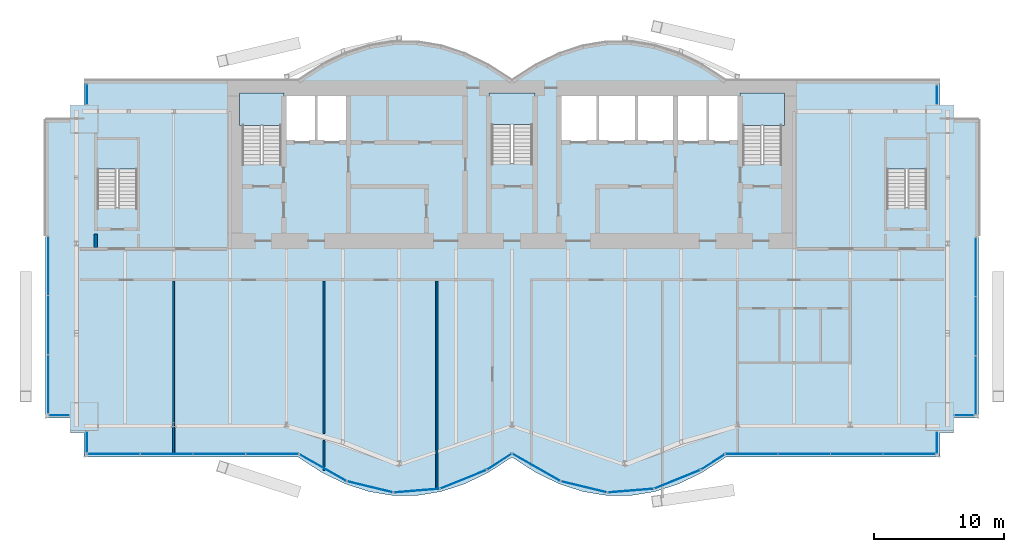
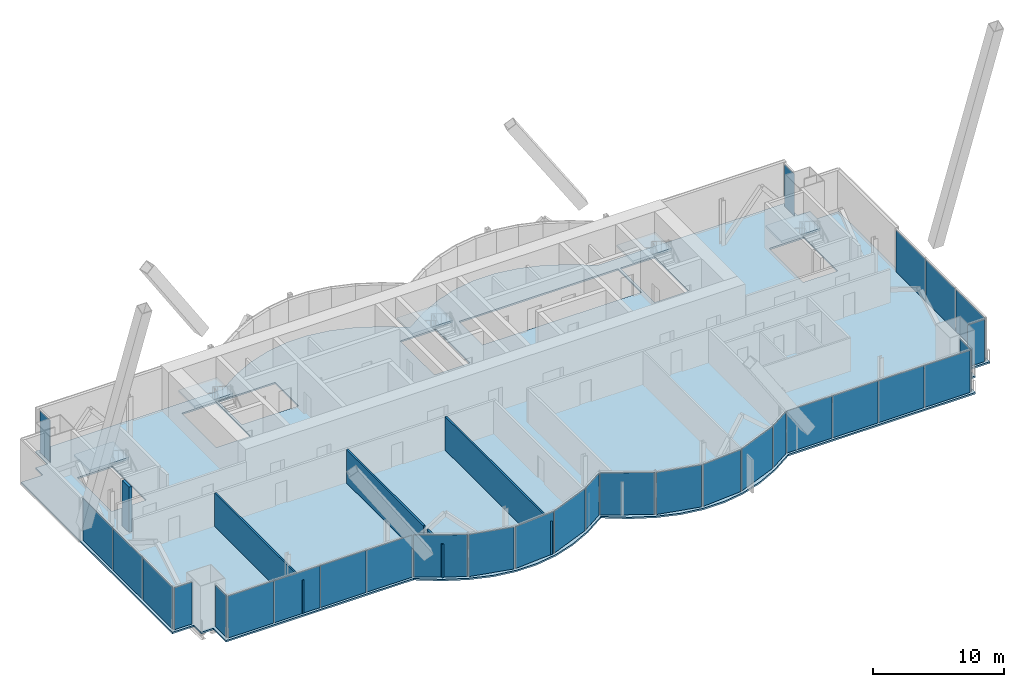
# One storey, part 16 of 23: 30 plates, 6 slabs, 5 walls, 17 elements without a shape of their own.
"""IFC4 building model written with IfcOpenShell, lengths in metres."""

import ifcopenshell
import ifcopenshell.guid

model = None  # the IFC model being written
_history = None  # IfcOwnerHistory: only IFC2X3 demands one
_inside = {}  # id of a spatial element -> (the spatial element, [elements in it])
_under = {}  # id of a project, library or spatial element -> (it, [spatial elements below it])
_declared = {}  # id of a project -> (the project, [libraries it declares])
_typed = {}  # id of a type object -> (the type object, [elements of that type])
_made_of = {}  # id of a material, layer set ... -> (it, [elements and type objects made of it])


def new_model(schema):
    """Start an empty IFC model of exactly this schema.

    Asked for "IFC4X3", IfcOpenShell would pick the latest addendum, in which some entities
    have other attributes; the version numbers below select the first issue.
    IFC2X3 requires an IfcOwnerHistory on every rooted entity: one is made here for all.
    """
    global model, _history
    if schema == "IFC4X3":
        model = ifcopenshell.file(schema_version=(4, 3, 0, 0))
    else:
        model = ifcopenshell.file(schema=schema)
    _inside.clear()
    _under.clear()
    _declared.clear()
    _typed.clear()
    _made_of.clear()
    _history = None
    if model.schema == "IFC2X3":
        org = make("IfcOrganization", Name="unknown")
        user = make(
            "IfcPersonAndOrganization",
            ThePerson=make("IfcPerson", FamilyName="unknown"),
            TheOrganization=org,
        )
        app = make(
            "IfcApplication",
            ApplicationDeveloper=org,
            Version="unknown",
            ApplicationFullName="unknown",
            ApplicationIdentifier="unknown",
        )
        _history = make(
            "IfcOwnerHistory",
            OwningUser=user,
            OwningApplication=app,
            ChangeAction="ADDED",
            CreationDate=0,
        )
    return model


def make(cls, **values):
    """One entity of the class cls with the attributes given. An attribute that is None is left unset."""
    return model.create_entity(
        cls, **{name: value for name, value in values.items() if value is not None}
    )


def rooted(cls, **values):
    """An entity with a GlobalId (a new one), such as an element, a storey or a relation."""
    return make(cls, GlobalId=ifcopenshell.guid.new(), OwnerHistory=_history, **values)


def si_unit(unit_type, name, prefix=None):
    """IfcSIUnit, for example si_unit("LENGTHUNIT", "METRE", prefix="MILLI")."""
    return make("IfcSIUnit", UnitType=unit_type, Prefix=prefix, Name=name)


def assignment(units):
    """IfcUnitAssignment: the units of a project."""
    return None if units is None else make("IfcUnitAssignment", Units=units)


def point(xyz):
    """IfcCartesianPoint."""
    return None if xyz is None else make("IfcCartesianPoint", Coordinates=xyz)


def direction(xyz):
    """IfcDirection."""
    return None if xyz is None else make("IfcDirection", DirectionRatios=xyz)


def frame(location, z_axis=None, x_axis=None):
    """IfcAxis2Placement3D, a coordinate frame: its origin and axes. An axis left out is left unset."""
    return make(
        "IfcAxis2Placement3D",
        Location=point(location),
        Axis=direction(z_axis),
        RefDirection=direction(x_axis),
    )


def frame_2d(location, x_axis=None):
    """IfcAxis2Placement2D, a coordinate frame in the plane: its origin and x axis."""
    return make(
        "IfcAxis2Placement2D", Location=point(location), RefDirection=direction(x_axis)
    )


def origin():
    """The frame at (0, 0, 0) with its axes left unset."""
    return frame((0.0, 0.0, 0.0))


def origin_2d():
    """The frame at (0, 0) in the plane with its x axis left unset."""
    return frame_2d((0.0, 0.0))


def place(relative_to, where):
    """IfcLocalPlacement: puts the frame where relative to a parent placement (None: the world)."""
    return make(
        "IfcLocalPlacement", PlacementRelTo=relative_to, RelativePlacement=where
    )


def context(
    kind, dimensions, precision=None, world=None, true_north=None, identifier=None
):
    """IfcGeometricRepresentationContext, for example the 3D "Model" context."""
    return make(
        "IfcGeometricRepresentationContext",
        ContextIdentifier=identifier,
        ContextType=kind,
        CoordinateSpaceDimension=dimensions,
        Precision=precision,
        WorldCoordinateSystem=world,
        TrueNorth=true_north,
    )


def subcontext(parent, identifier, kind, view, scale=None):
    """IfcGeometricRepresentationSubContext, for example "Body" below "Model"."""
    return make(
        "IfcGeometricRepresentationSubContext",
        ContextIdentifier=identifier,
        ContextType=kind,
        ParentContext=parent,
        TargetScale=scale,
        TargetView=view,
    )


def project(units=None, contexts=None):
    """IfcProject with its units and contexts."""
    return rooted(
        "IfcProject",
        Name="project",
        RepresentationContexts=contexts,
        UnitsInContext=assignment(units),
    )


def spatial(cls, under=None, at=None, **own):
    """A site, building, storey or space (cls), placed at a placement, below another one or the project."""
    s = rooted(cls, ObjectPlacement=at, **own)
    if under is not None:
        _under.setdefault(under.id(), (under, []))[1].append(s)
    return s


def polyline(points):
    """IfcPolyline through the points."""
    return make("IfcPolyline", Points=[point(p) for p in points])


def profile(cls, at=None, kind="AREA", **sizes):
    """A parametric profile (cls). Its sizes go by their IFC names, for example OverallWidth=200.0."""
    return make(cls, ProfileType=kind, Position=at, **sizes)


def rectangle(**sizes):
    """IfcRectangleProfileDef."""
    return profile("IfcRectangleProfileDef", **sizes)


def outline(outer, holes=None, kind="AREA"):
    """IfcArbitraryClosedProfileDef: a profile drawn as a closed curve; with holes, ...WithVoids."""
    if holes is None:
        return make("IfcArbitraryClosedProfileDef", ProfileType=kind, OuterCurve=outer)
    return make(
        "IfcArbitraryProfileDefWithVoids",
        ProfileType=kind,
        OuterCurve=outer,
        InnerCurves=holes,
    )


def extrude(swept, where, along, depth):
    """IfcExtrudedAreaSolid: the profile swept, set in the frame where, extruded along a direction by depth."""
    return make(
        "IfcExtrudedAreaSolid",
        SweptArea=swept,
        Position=where,
        ExtrudedDirection=direction(along),
        Depth=depth,
    )


def shape(context_of_items, identifier, shape_type, items):
    """IfcShapeRepresentation: the items that make up one representation, for example the "Body"."""
    return make(
        "IfcShapeRepresentation",
        ContextOfItems=context_of_items,
        RepresentationIdentifier=identifier,
        RepresentationType=shape_type,
        Items=items,
    )


def material(Name=None, Category=None):
    """IfcMaterial."""
    return make("IfcMaterial", Name=Name, Category=Category)


def layer(
    of_material, thickness, ventilated=None, Name=None, Category=None, Priority=None
):
    """IfcMaterialLayer: one layer of a wall or slab, of a material (None: an air gap)."""
    return make(
        "IfcMaterialLayer",
        Material=of_material,
        LayerThickness=thickness,
        IsVentilated=ventilated,
        Name=Name,
        Category=Category,
        Priority=Priority,
    )


def layer_set(layers, Name=None):
    """IfcMaterialLayerSet."""
    return make("IfcMaterialLayerSet", MaterialLayers=layers, LayerSetName=Name)


def made_of(thing, what):
    """Note that an element or type object is made of a material, layer set ...; save() writes the relation."""
    if what is not None:
        _made_of.setdefault(what.id(), (what, []))[1].append(thing)
    return thing


def type_object(cls, material=None, **own):
    """A type object (cls), such as IfcWallType, which elements share."""
    return made_of(rooted(cls, **own), material)


def element(
    cls,
    number,
    at=None,
    inside=None,
    cuts=None,
    type_object=None,
    material=None,
    context=None,
    identifier="Body",
    shape_type=None,
    held_by="IfcProductDefinitionShape",
    body=None,
    shapes=None,
    **own,
):
    """One element of the class cls, such as IfcWall. Its Tag is "e" and its number.

    at: its placement. inside: the storey or other place that contains it. cuts: it is an
    opening in that element (IfcRelVoidsElement). A single representation is given by context,
    identifier, shape_type and body (its items); several are given by shapes. held_by: the class
    of the entity that holds the representations. save() writes the other relations.
    """
    e = rooted(cls, Tag="e%d" % number, ObjectPlacement=at, **own)
    if body is not None:
        shapes = [shape(context, identifier, shape_type, body)]
    if shapes is not None:
        e.Representation = make(held_by, Representations=shapes)
    if inside is not None:
        _inside.setdefault(inside.id(), (inside, []))[1].append(e)
    if cuts is not None:
        rooted(
            "IfcRelVoidsElement", RelatingBuildingElement=cuts, RelatedOpeningElement=e
        )
    if type_object is not None:
        _typed.setdefault(type_object.id(), (type_object, []))[1].append(e)
    return made_of(e, material)


def aggregate(whole, parts):
    """IfcRelAggregates: a whole, such as a stair, and the parts it consists of."""
    return rooted("IfcRelAggregates", RelatingObject=whole, RelatedObjects=parts)


def save(model, path):
    """Write the relations noted so far, then the file.

    IfcRelAggregates (storeys below a building ...), IfcRelContainedInSpatialStructure (elements
    in a storey), IfcRelDefinesByType, IfcRelAssociatesMaterial and IfcRelDeclares: one each for
    every whole, place, type object, material and project.
    """
    for whole, parts in _under.values():
        aggregate(whole, parts)
    for where, things in _inside.values():
        rooted(
            "IfcRelContainedInSpatialStructure",
            RelatedElements=things,
            RelatingStructure=where,
        )
    for kind, things in _typed.values():
        rooted("IfcRelDefinesByType", RelatedObjects=things, RelatingType=kind)
    for what, things in _made_of.values():
        rooted("IfcRelAssociatesMaterial", RelatedObjects=things, RelatingMaterial=what)
    for by, libraries in _declared.values():
        rooted("IfcRelDeclares", RelatingContext=by, RelatedDefinitions=libraries)
    model.write(path)


model = new_model("IFC4")

# Units and contexts
model_context = context("Model", 3, precision=1e-05, world=origin(), true_north=direction((0.0, 1.0)))
body_context = subcontext(model_context, "Body", "Model", "MODEL_VIEW")
ifc_project = project(units=[si_unit("LENGTHUNIT", "METRE"), si_unit("AREAUNIT", "SQUARE_METRE"), si_unit("VOLUMEUNIT", "CUBIC_METRE"), si_unit("PLANEANGLEUNIT", "RADIAN"), si_unit("MASSUNIT", "GRAM", prefix="KILO")], contexts=[model_context])

# Site, building, storey
site_placement = place(None, origin())
site = spatial("IfcSite", under=ifc_project, at=site_placement, CompositionType="ELEMENT")
building_placement = place(site_placement, origin())
building = spatial("IfcBuilding", under=site, at=building_placement, Name="Bicima Exchange Tower", CompositionType="ELEMENT")
storey_placement = place(building_placement, frame((0.0, 0.0, 262.39990234375)))
storey = spatial("IfcBuildingStorey", under=building, at=storey_placement, Name="L59", CompositionType="ELEMENT", Elevation=262.39990234375)

# Slab
ifc_material_1 = material(Name="Concrete C40/50", Category="concrete")
ifc_layer_1 = layer(ifc_material_1, 0.14990234375)
ifc_layer_set_1 = layer_set([ifc_layer_1], Name="Concrete C40/50")
slab_type_1 = type_object("IfcSlabType", Name="Composite floor slab 150", PredefinedType="FLOOR", material=ifc_layer_set_1)
slab_1_placement = place(storey_placement, frame((0.0, 0.0, -0.14990234375)))
element("IfcSlab", 1, at=slab_1_placement, inside=storey, type_object=slab_type_1, Name="Floor slab", PredefinedType="FLOOR", context=body_context, shape_type="SweptSolid", body=[
    extrude(outline(polyline([(-36.0, -26.068115234375), (-36.0, -3.0), (-34.10009765625, -3.0), (-34.10009765625, -1.89990234375), (-33.0, -1.89990234375), (-33.0, 0.0), (-16.5, 0.0), (-14.666748046875, 1.185302734375), (-12.833251953125, 2.07421875), (-11.0, 2.666748046875), (-9.166748046875, 2.962890625), (-7.333251953125, 2.962890625), (-5.5, 2.666748046875), (-3.666748046875, 2.07421875), (-1.833251953125, 1.185302734375), (0.0, 0.0), (1.833251953125, 1.185302734375), (3.666748046875, 2.07421875), (5.5, 2.666748046875), (7.333251953125, 2.962890625), (9.166748046875, 2.962890625), (11.0, 2.666748046875), (12.833251953125, 2.07421875), (14.666748046875, 1.185302734375), (16.5, 0.0), (33.0, 0.0), (33.0, -1.89990234375), (34.10009765625, -1.89990234375), (34.10009765625, -3.0), (36.0, -3.0), (36.0, -26.068115234375), (34.10009765625, -26.068115234375), (34.10009765625, -27.16796875), (33.0, -27.16796875), (33.0, -29.068115234375), (16.5, -29.068115234375), (14.666748046875, -30.253173828125), (12.833251953125, -31.14208984375), (11.0, -31.734619140625), (9.166748046875, -32.031005859375), (7.333251953125, -32.031005859375), (5.5, -31.734619140625), (3.666748046875, -31.14208984375), (1.833251953125, -30.253173828125), (0.0, -29.068115234375), (-1.833251953125, -30.253173828125), (-3.666748046875, -31.14208984375), (-5.5, -31.734619140625), (-7.333251953125, -32.031005859375), (-9.166748046875, -32.031005859375), (-11.0, -31.734619140625), (-12.833251953125, -31.14208984375), (-14.666748046875, -30.253173828125), (-16.5, -29.068115234375), (-33.0, -29.068115234375), (-33.0, -27.16796875), (-34.10009765625, -27.16796875), (-34.10009765625, -26.068115234375), (-36.0, -26.068115234375)]), holes=[polyline([(-28.925048828125, -9.824951171875), (-28.925048828125, -4.625), (-31.97509765625, -4.625), (-31.97509765625, -9.824951171875), (-28.925048828125, -9.824951171875)]), polyline([(-20.800048828125, -6.449951171875), (-17.800048828125, -6.449951171875), (-17.800048828125, -1.199951171875), (-20.800048828125, -1.199951171875), (-20.800048828125, -6.449951171875)]), polyline([(-1.574951171875, -6.39990234375), (1.574951171875, -6.39990234375), (1.574951171875, -1.199951171875), (-1.574951171875, -1.199951171875), (-1.574951171875, -6.39990234375)]), polyline([(-12.60009765625, -1.199951171875), (-15.10009765625, -1.199951171875), (-17.60009765625, -1.199951171875), (-17.60009765625, -4.800048828125), (-15.10009765625, -4.800048828125), (-12.60009765625, -4.800048828125), (-12.60009765625, -1.199951171875)]), polyline([(3.60009765625, -4.800048828125), (6.60009765625, -4.800048828125), (9.60009765625, -4.800048828125), (12.60009765625, -4.800048828125), (15.10009765625, -4.800048828125), (17.60009765625, -4.800048828125), (17.60009765625, -1.199951171875), (15.10009765625, -1.199951171875), (12.60009765625, -1.199951171875), (9.60009765625, -1.199951171875), (6.60009765625, -1.199951171875), (3.60009765625, -1.199951171875), (3.60009765625, -4.800048828125)]), polyline([(31.97509765625, -9.824951171875), (31.97509765625, -4.625), (28.925048828125, -4.625), (28.925048828125, -9.824951171875), (31.97509765625, -9.824951171875)]), polyline([(17.800048828125, -6.449951171875), (20.800048828125, -6.449951171875), (20.800048828125, -1.199951171875), (17.800048828125, -1.199951171875), (17.800048828125, -6.449951171875)])]), origin(), (0.0, 0.0, 1.0), 0.14990234375),
])

# Curtain wall, plate
ifc_material_2 = material(Name="Anodised bronze aluminium", Category="aluminium")
curtain_wall_type_1 = type_object("IfcCurtainWallType", Name="End face glass wall", PredefinedType="NOTDEFINED", material=ifc_material_2)
curtain_wall_1_placement = place(storey_placement, origin())
curtain_wall_1 = element("IfcCurtainWall", 2, at=curtain_wall_1_placement, inside=storey, type_object=curtain_wall_type_1, Name="End face glass wall L59 run 2", PredefinedType="NOTDEFINED")
ifc_material_3 = material(Name="Bronze tinted glass", Category="glass")
ifc_layer_2 = layer(ifc_material_3, 0.031982421875)
ifc_layer_set_2 = layer_set([ifc_layer_2], Name="Bronze tinted glass")
plate_type_1 = type_object("IfcPlateType", Name="End face glass wall glass panel 32", PredefinedType="CURTAIN_PANEL", material=ifc_layer_set_2)
plate_1_placement = place(storey_placement, frame((-35.77001953125, -23.445068359375, 0.0), z_axis=(0.0, 0.0, 1.0), x_axis=(0.0, -1.0, 0.0)))
plate_1 = element("IfcPlate", 3, at=plate_1_placement, type_object=plate_type_1, Name="End face glass wall panel 3.1", PredefinedType="CURTAIN_PANEL", context=body_context, shape_type="SweptSolid", body=[
    extrude(rectangle(XDim=4.506103515625, YDim=0.031982421875, at=origin_2d()), origin(), (0.0, 0.0, 1.0), 3.909912109375),
])

curtain_wall_2_placement = place(storey_placement, origin())
curtain_wall_2 = element("IfcCurtainWall", 4, at=curtain_wall_2_placement, inside=storey, type_object=curtain_wall_type_1, Name="End face glass wall L59 run 19", PredefinedType="NOTDEFINED")
plate_2_placement = place(storey_placement, frame((35.77001953125, -23.52490234375, 0.0), z_axis=(0.0, 0.0, 1.0), x_axis=(0.0, 1.0, 0.0)))
plate_2 = element("IfcPlate", 5, at=plate_2_placement, type_object=plate_type_1, Name="End face glass wall panel 1.1", PredefinedType="CURTAIN_PANEL", context=body_context, shape_type="SweptSolid", body=[
    extrude(rectangle(XDim=4.506103515625, YDim=0.031982421875, at=origin_2d()), origin(), (0.0, 0.0, 1.0), 3.909912109375),
])

# Plate
ifc_material_4 = material(Name="Bronze anodised aluminium", Category="aluminium")
ifc_layer_3 = layer(ifc_material_4, 0.031982421875)
ifc_layer_set_3 = layer_set([ifc_layer_3], Name="Bronze anodised aluminium")
plate_type_2 = type_object("IfcPlateType", Name="End face glass wall spandrel panel 32", PredefinedType="CURTAIN_PANEL", material=ifc_layer_set_3)
plate_3_placement = place(storey_placement, frame((-35.77001953125, -14.31298828125, 0.0), z_axis=(0.0, 0.0, 1.0), x_axis=(0.0, -1.0, 0.0)))
plate_3 = element("IfcPlate", 6, at=plate_3_placement, type_object=plate_type_2, Name="End face spandrel wall panel 1.1", PredefinedType="CURTAIN_PANEL", context=body_context, shape_type="SweptSolid", body=[
    extrude(rectangle(XDim=4.506103515625, YDim=0.031982421875, at=origin_2d()), origin(), (0.0, 0.0, 1.0), 3.909912109375),
])

plate_4_placement = place(storey_placement, frame((-35.77001953125, -18.87890625, 0.0), z_axis=(0.0, 0.0, 1.0), x_axis=(0.0, -1.0, 0.0)))
plate_4 = element("IfcPlate", 7, at=plate_4_placement, type_object=plate_type_2, Name="End face spandrel wall panel 2.1", PredefinedType="CURTAIN_PANEL", context=body_context, shape_type="SweptSolid", body=[
    extrude(rectangle(XDim=4.506103515625, YDim=0.031982421875, at=origin_2d()), origin(), (0.0, 0.0, 1.0), 3.909912109375),
])

aggregate(curtain_wall_1, [plate_3, plate_4, plate_1])

plate_5_placement = place(storey_placement, frame((35.77001953125, -18.958984375, 0.0), z_axis=(0.0, 0.0, 1.0), x_axis=(0.0, 1.0, 0.0)))
plate_5 = element("IfcPlate", 8, at=plate_5_placement, type_object=plate_type_2, Name="End face spandrel wall panel 2.1", PredefinedType="CURTAIN_PANEL", context=body_context, shape_type="SweptSolid", body=[
    extrude(rectangle(XDim=4.506103515625, YDim=0.031982421875, at=origin_2d()), origin(), (0.0, 0.0, 1.0), 3.909912109375),
])

plate_6_placement = place(storey_placement, frame((35.77001953125, -14.39306640625, 0.0), z_axis=(0.0, 0.0, 1.0), x_axis=(0.0, 1.0, 0.0)))
plate_6 = element("IfcPlate", 9, at=plate_6_placement, type_object=plate_type_2, Name="End face spandrel wall panel 3.1", PredefinedType="CURTAIN_PANEL", context=body_context, shape_type="SweptSolid", body=[
    extrude(rectangle(XDim=4.506103515625, YDim=0.031982421875, at=origin_2d()), origin(), (0.0, 0.0, 1.0), 3.909912109375),
])

aggregate(curtain_wall_2, [plate_2, plate_5, plate_6])

# Curtain wall, plate
curtain_wall_type_2 = type_object("IfcCurtainWallType", Name="Front glass wall", PredefinedType="NOTDEFINED", material=ifc_material_2)
curtain_wall_3_placement = place(storey_placement, origin())
curtain_wall_3 = element("IfcCurtainWall", 10, at=curtain_wall_3_placement, inside=storey, type_object=curtain_wall_type_2, Name="Front glass wall L59 run 1", PredefinedType="NOTDEFINED")
ifc_layer_4 = layer(ifc_material_3, 0.031982421875)
ifc_layer_set_4 = layer_set([ifc_layer_4], Name="Bronze tinted glass")
plate_type_3 = type_object("IfcPlateType", Name="Front glass wall glass panel 32", PredefinedType="CURTAIN_PANEL", material=ifc_layer_set_4)
plate_7_placement = place(storey_placement, frame((-32.77001953125, -1.06494140625, 0.0), z_axis=(0.0, 0.0, 1.0), x_axis=(0.0, -1.0, 0.0)))
plate_7 = element("IfcPlate", 11, at=plate_7_placement, type_object=plate_type_3, Name="Front glass wall panel 1.1", PredefinedType="CURTAIN_PANEL", context=body_context, shape_type="SweptSolid", body=[
    extrude(rectangle(XDim=1.550048828125, YDim=0.031982421875, at=origin_2d()), origin(), (0.0, 0.0, 1.0), 3.909912109375),
])
aggregate(curtain_wall_3, [plate_7])

curtain_wall_4_placement = place(storey_placement, origin())
curtain_wall_4 = element("IfcCurtainWall", 12, at=curtain_wall_4_placement, inside=storey, type_object=curtain_wall_type_2, Name="Front glass wall L59 run 3", PredefinedType="NOTDEFINED")
plate_8_placement = place(storey_placement, frame((-34.93505859375, -25.837890625, 0.0), z_axis=(0.0, 0.0, 1.0), x_axis=(1.0, 0.0, 0.0)))
plate_8 = element("IfcPlate", 13, at=plate_8_placement, type_object=plate_type_3, Name="Front glass wall panel 1.1", PredefinedType="CURTAIN_PANEL", context=body_context, shape_type="SweptSolid", body=[
    extrude(rectangle(XDim=1.550048828125, YDim=0.031982421875, at=origin_2d()), origin(), (0.0, 0.0, 1.0), 3.909912109375),
])
aggregate(curtain_wall_4, [plate_8])

curtain_wall_5_placement = place(storey_placement, origin())
curtain_wall_5 = element("IfcCurtainWall", 14, at=curtain_wall_5_placement, inside=storey, type_object=curtain_wall_type_2, Name="Front glass wall L59 run 4", PredefinedType="NOTDEFINED")
plate_9_placement = place(storey_placement, frame((-32.77001953125, -27.902099609375, 0.0), z_axis=(0.0, 0.0, 1.0), x_axis=(0.0, -1.0, 0.0)))
plate_9 = element("IfcPlate", 15, at=plate_9_placement, type_object=plate_type_3, Name="Front glass wall panel 1.1", PredefinedType="CURTAIN_PANEL", context=body_context, shape_type="SweptSolid", body=[
    extrude(rectangle(XDim=1.592041015625, YDim=0.031982421875, at=origin_2d()), origin(), (0.0, 0.0, 1.0), 3.909912109375),
])
aggregate(curtain_wall_5, [plate_9])

# Curtain wall, plates
curtain_wall_6_placement = place(storey_placement, origin())
curtain_wall_6 = element("IfcCurtainWall", 16, at=curtain_wall_6_placement, inside=storey, type_object=curtain_wall_type_2, Name="Front glass wall L59 run 5", PredefinedType="NOTDEFINED")
plate_10_placement = place(storey_placement, frame((-30.705322265625, -28.837890625, 0.0), z_axis=(0.0, 0.0, 1.0), x_axis=(1.0, 0.0, 0.0)))
plate_10 = element("IfcPlate", 17, at=plate_10_placement, type_object=plate_type_3, Name="Front glass wall panel 1.1", PredefinedType="CURTAIN_PANEL", context=body_context, shape_type="SweptSolid", body=[
    extrude(rectangle(XDim=4.009521484375, YDim=0.031982421875, at=origin_2d()), origin(), (0.0, 0.0, 1.0), 3.909912109375),
])
plate_11_placement = place(storey_placement, frame((-26.6357421875, -28.837890625, 0.0), z_axis=(0.0, 0.0, 1.0), x_axis=(1.0, 0.0, 0.0)))
plate_11 = element("IfcPlate", 18, at=plate_11_placement, type_object=plate_type_3, Name="Front glass wall panel 2.1", PredefinedType="CURTAIN_PANEL", context=body_context, shape_type="SweptSolid", body=[
    extrude(rectangle(XDim=4.009521484375, YDim=0.031982421875, at=origin_2d()), origin(), (0.0, 0.0, 1.0), 3.909912109375),
])
plate_12_placement = place(storey_placement, frame((-22.56640625, -28.837890625, 0.0), z_axis=(0.0, 0.0, 1.0), x_axis=(1.0, 0.0, 0.0)))
plate_12 = element("IfcPlate", 19, at=plate_12_placement, type_object=plate_type_3, Name="Front glass wall panel 3.1", PredefinedType="CURTAIN_PANEL", context=body_context, shape_type="SweptSolid", body=[
    extrude(rectangle(XDim=4.009521484375, YDim=0.031982421875, at=origin_2d()), origin(), (0.0, 0.0, 1.0), 3.909912109375),
])
plate_13_placement = place(storey_placement, frame((-18.496826171875, -28.837890625, 0.0), z_axis=(0.0, 0.0, 1.0), x_axis=(1.0, 0.0, 0.0)))
plate_13 = element("IfcPlate", 20, at=plate_13_placement, type_object=plate_type_3, Name="Front glass wall panel 4.1", PredefinedType="CURTAIN_PANEL", context=body_context, shape_type="SweptSolid", body=[
    extrude(rectangle(XDim=4.009521484375, YDim=0.031982421875, at=origin_2d()), origin(), (0.0, 0.0, 1.0), 3.909912109375),
])
aggregate(curtain_wall_6, [plate_10, plate_11, plate_12, plate_13])

curtain_wall_7_placement = place(storey_placement, origin())
curtain_wall_7 = element("IfcCurtainWall", 21, at=curtain_wall_7_placement, inside=storey, type_object=curtain_wall_type_2, Name="Front glass wall L59 run 6", PredefinedType="NOTDEFINED")
plate_14_placement = place(storey_placement, frame((-14.589599609375, -29.883056640625, 0.0), z_axis=(0.0, 0.0, 1.0), x_axis=(0.869805110681, -0.493395449343, 0.0)))
plate_14 = element("IfcPlate", 22, at=plate_14_placement, type_object=plate_type_3, Name="Front glass wall panel 1.1", PredefinedType="CURTAIN_PANEL", context=body_context, shape_type="SweptSolid", body=[
    extrude(rectangle(XDim=4.1162109375, YDim=0.031982421875, at=origin_2d()), origin(), (0.0, 0.0, 1.0), 3.909912109375),
])
plate_15_placement = place(storey_placement, frame((-10.94775390625, -31.364501953125, 0.0), z_axis=(0.0, 0.0, 1.0), x_axis=(0.971830343553, -0.235681529503, 0.0)))
plate_15 = element("IfcPlate", 23, at=plate_15_placement, type_object=plate_type_3, Name="Front glass wall panel 1.1", PredefinedType="CURTAIN_PANEL", context=body_context, shape_type="SweptSolid", body=[
    extrude(rectangle(XDim=3.583251953125, YDim=0.031982421875, at=origin_2d()), origin(), (0.0, 0.0, 1.0), 3.909912109375),
])
plate_16_placement = place(storey_placement, frame((-7.35107421875, -31.65576171875, 0.0), z_axis=(0.0, 0.0, 1.0), x_axis=(0.99674744821, 0.080588612633, 0.0)))
plate_16 = element("IfcPlate", 24, at=plate_16_placement, type_object=plate_type_3, Name="Front glass wall panel 1.1", PredefinedType="CURTAIN_PANEL", context=body_context, shape_type="SweptSolid", body=[
    extrude(rectangle(XDim=3.486083984375, YDim=0.031982421875, at=origin_2d()), origin(), (0.0, 0.0, 1.0), 3.909912109375),
])
plate_17_placement = place(storey_placement, frame((-3.750244140625, -30.781494140625, 0.0), z_axis=(0.0, 0.0, 1.0), x_axis=(0.92714396679, 0.374705304, 0.0)))
plate_17 = element("IfcPlate", 25, at=plate_17_placement, type_object=plate_type_3, Name="Front glass wall panel 1.1", PredefinedType="CURTAIN_PANEL", context=body_context, shape_type="SweptSolid", body=[
    extrude(rectangle(XDim=3.771240234375, YDim=0.031982421875, at=origin_2d()), origin(), (0.0, 0.0, 1.0), 3.909912109375),
])
plate_18_placement = place(storey_placement, frame((-0.97314453125, -29.423095703125, 0.0), z_axis=(0.0, 0.0, 1.0), x_axis=(0.839798994301, 0.542897457326, 0.0)))
plate_18 = element("IfcPlate", 26, at=plate_18_placement, type_object=plate_type_3, Name="Front glass wall panel 1.1", PredefinedType="CURTAIN_PANEL", context=body_context, shape_type="SweptSolid", body=[
    extrude(rectangle(XDim=2.197509765625, YDim=0.031982421875, at=origin_2d()), origin(), (0.0, 0.0, 1.0), 3.909912109375),
])
aggregate(curtain_wall_7, [plate_14, plate_15, plate_16, plate_17, plate_18])

curtain_wall_8_placement = place(storey_placement, origin())
curtain_wall_8 = element("IfcCurtainWall", 27, at=curtain_wall_8_placement, inside=storey, type_object=curtain_wall_type_2, Name="Front glass wall L59 run 11", PredefinedType="NOTDEFINED")
plate_19_placement = place(storey_placement, frame((1.876220703125, -29.861083984375, 0.0), z_axis=(0.0, 0.0, 1.0), x_axis=(0.869274147378, -0.494330311331, 0.0)))
plate_19 = element("IfcPlate", 28, at=plate_19_placement, type_object=plate_type_3, Name="Front glass wall panel 1.1", PredefinedType="CURTAIN_PANEL", context=body_context, shape_type="SweptSolid", body=[
    extrude(rectangle(XDim=4.197021484375, YDim=0.031982421875, at=origin_2d()), origin(), (0.0, 0.0, 1.0), 3.909912109375),
])
plate_20_placement = place(storey_placement, frame((5.55224609375, -31.364501953125, 0.0), z_axis=(0.0, 0.0, 1.0), x_axis=(0.971830343553, -0.235681529503, 0.0)))
plate_20 = element("IfcPlate", 29, at=plate_20_placement, type_object=plate_type_3, Name="Front glass wall panel 1.1", PredefinedType="CURTAIN_PANEL", context=body_context, shape_type="SweptSolid", body=[
    extrude(rectangle(XDim=3.583251953125, YDim=0.031982421875, at=origin_2d()), origin(), (0.0, 0.0, 1.0), 3.909912109375),
])
plate_21_placement = place(storey_placement, frame((9.14892578125, -31.65576171875, 0.0), z_axis=(0.0, 0.0, 1.0), x_axis=(0.99674744821, 0.080588612633, 0.0)))
plate_21 = element("IfcPlate", 30, at=plate_21_placement, type_object=plate_type_3, Name="Front glass wall panel 1.1", PredefinedType="CURTAIN_PANEL", context=body_context, shape_type="SweptSolid", body=[
    extrude(rectangle(XDim=3.486083984375, YDim=0.031982421875, at=origin_2d()), origin(), (0.0, 0.0, 1.0), 3.909912109375),
])
plate_22_placement = place(storey_placement, frame((12.749755859375, -30.781494140625, 0.0), z_axis=(0.0, 0.0, 1.0), x_axis=(0.92714396679, 0.374705304, 0.0)))
plate_22 = element("IfcPlate", 31, at=plate_22_placement, type_object=plate_type_3, Name="Front glass wall panel 1.1", PredefinedType="CURTAIN_PANEL", context=body_context, shape_type="SweptSolid", body=[
    extrude(rectangle(XDim=3.771240234375, YDim=0.031982421875, at=origin_2d()), origin(), (0.0, 0.0, 1.0), 3.909912109375),
])
plate_23_placement = place(storey_placement, frame((15.492919921875, -29.4453125, 0.0), z_axis=(0.0, 0.0, 1.0), x_axis=(0.839791413941, 0.542909183079, 0.0)))
plate_23 = element("IfcPlate", 32, at=plate_23_placement, type_object=plate_type_3, Name="Front glass wall panel 1.1", PredefinedType="CURTAIN_PANEL", context=body_context, shape_type="SweptSolid", body=[
    extrude(rectangle(XDim=2.11669921875, YDim=0.031982421875, at=origin_2d()), origin(), (0.0, 0.0, 1.0), 3.909912109375),
])
aggregate(curtain_wall_8, [plate_19, plate_20, plate_21, plate_22, plate_23])

curtain_wall_9_placement = place(storey_placement, origin())
curtain_wall_9 = element("IfcCurtainWall", 33, at=curtain_wall_9_placement, inside=storey, type_object=curtain_wall_type_2, Name="Front glass wall L59 run 16", PredefinedType="NOTDEFINED")
plate_24_placement = place(storey_placement, frame((18.48681640625, -28.837890625, 0.0), z_axis=(0.0, 0.0, 1.0), x_axis=(1.0, 0.0, 0.0)))
plate_24 = element("IfcPlate", 34, at=plate_24_placement, type_object=plate_type_3, Name="Front glass wall panel 1.1", PredefinedType="CURTAIN_PANEL", context=body_context, shape_type="SweptSolid", body=[
    extrude(rectangle(XDim=3.989501953125, YDim=0.031982421875, at=origin_2d()), origin(), (0.0, 0.0, 1.0), 3.909912109375),
])
plate_25_placement = place(storey_placement, frame((22.536376953125, -28.837890625, 0.0), z_axis=(0.0, 0.0, 1.0), x_axis=(1.0, 0.0, 0.0)))
plate_25 = element("IfcPlate", 35, at=plate_25_placement, type_object=plate_type_3, Name="Front glass wall panel 2.1", PredefinedType="CURTAIN_PANEL", context=body_context, shape_type="SweptSolid", body=[
    extrude(rectangle(XDim=3.989501953125, YDim=0.031982421875, at=origin_2d()), origin(), (0.0, 0.0, 1.0), 3.909912109375),
])
plate_26_placement = place(storey_placement, frame((26.585693359375, -28.837890625, 0.0), z_axis=(0.0, 0.0, 1.0), x_axis=(1.0, 0.0, 0.0)))
plate_26 = element("IfcPlate", 36, at=plate_26_placement, type_object=plate_type_3, Name="Front glass wall panel 3.1", PredefinedType="CURTAIN_PANEL", context=body_context, shape_type="SweptSolid", body=[
    extrude(rectangle(XDim=3.989501953125, YDim=0.031982421875, at=origin_2d()), origin(), (0.0, 0.0, 1.0), 3.909912109375),
])
plate_27_placement = place(storey_placement, frame((30.63525390625, -28.837890625, 0.0), z_axis=(0.0, 0.0, 1.0), x_axis=(1.0, 0.0, 0.0)))
plate_27 = element("IfcPlate", 37, at=plate_27_placement, type_object=plate_type_3, Name="Front glass wall panel 4.1", PredefinedType="CURTAIN_PANEL", context=body_context, shape_type="SweptSolid", body=[
    extrude(rectangle(XDim=3.989501953125, YDim=0.031982421875, at=origin_2d()), origin(), (0.0, 0.0, 1.0), 3.909912109375),
])
aggregate(curtain_wall_9, [plate_24, plate_25, plate_26, plate_27])

# Curtain wall, plate
curtain_wall_10_placement = place(storey_placement, origin())
curtain_wall_10 = element("IfcCurtainWall", 38, at=curtain_wall_10_placement, inside=storey, type_object=curtain_wall_type_2, Name="Front glass wall L59 run 17", PredefinedType="NOTDEFINED")
plate_28_placement = place(storey_placement, frame((32.77001953125, -27.94189453125, 0.0), z_axis=(0.0, 0.0, 1.0), x_axis=(0.0, 1.0, 0.0)))
plate_28 = element("IfcPlate", 39, at=plate_28_placement, type_object=plate_type_3, Name="Front glass wall panel 1.1", PredefinedType="CURTAIN_PANEL", context=body_context, shape_type="SweptSolid", body=[
    extrude(rectangle(XDim=1.672119140625, YDim=0.031982421875, at=origin_2d()), origin(), (0.0, 0.0, 1.0), 3.909912109375),
])
aggregate(curtain_wall_10, [plate_28])

curtain_wall_11_placement = place(storey_placement, origin())
curtain_wall_11 = element("IfcCurtainWall", 40, at=curtain_wall_11_placement, inside=storey, type_object=curtain_wall_type_2, Name="Front glass wall L59 run 18", PredefinedType="NOTDEFINED")
plate_29_placement = place(storey_placement, frame((34.89501953125, -25.837890625, 0.0), z_axis=(0.0, 0.0, 1.0), x_axis=(1.0, 0.0, 0.0)))
plate_29 = element("IfcPlate", 41, at=plate_29_placement, type_object=plate_type_3, Name="Front glass wall panel 1.1", PredefinedType="CURTAIN_PANEL", context=body_context, shape_type="SweptSolid", body=[
    extrude(rectangle(XDim=1.469970703125, YDim=0.031982421875, at=origin_2d()), origin(), (0.0, 0.0, 1.0), 3.909912109375),
])
aggregate(curtain_wall_11, [plate_29])

curtain_wall_12_placement = place(storey_placement, origin())
curtain_wall_12 = element("IfcCurtainWall", 42, at=curtain_wall_12_placement, inside=storey, type_object=curtain_wall_type_2, Name="Front glass wall L59 run 20", PredefinedType="NOTDEFINED")
plate_30_placement = place(storey_placement, frame((32.77001953125, -1.10498046875, 0.0), z_axis=(0.0, 0.0, 1.0), x_axis=(0.0, 1.0, 0.0)))
plate_30 = element("IfcPlate", 43, at=plate_30_placement, type_object=plate_type_3, Name="Front glass wall panel 1.1", PredefinedType="CURTAIN_PANEL", context=body_context, shape_type="SweptSolid", body=[
    extrude(rectangle(XDim=1.469970703125, YDim=0.031982421875, at=origin_2d()), origin(), (0.0, 0.0, 1.0), 3.909912109375),
])
aggregate(curtain_wall_12, [plate_30])

# Stair, slab
ifc_material_5 = material(Name="Concrete C50/60", Category="concrete")
stair_type_1 = type_object("IfcStairType", Name="Exit stair", PredefinedType="HALF_TURN_STAIR", material=ifc_material_5)
stair_1_placement = place(storey_placement, origin())
stair_1 = element("IfcStair", 44, at=stair_1_placement, inside=storey, type_object=stair_type_1, Name="L59 West exit stair", PredefinedType="HALF_TURN_STAIR")
ifc_layer_5 = layer(ifc_material_5, 0.199951171875)
ifc_layer_set_5 = layer_set([ifc_layer_5], Name="Concrete C50/60")
slab_type_2 = type_object("IfcSlabType", Name="Stair landing slab", PredefinedType="LANDING", material=ifc_layer_set_5)
slab_2_placement = place(storey_placement, frame((0.0, 0.0, 1.900146484375)))
slab_2 = element("IfcSlab", 45, at=slab_2_placement, type_object=slab_type_2, Name="ST-W landing 1", PredefinedType="LANDING", context=body_context, shape_type="SweptSolid", body=[
    extrude(outline(polyline([(-17.60009765625, -3.469970703125), (-17.60009765625, -1.0), (-21.0, -1.0), (-21.0, -3.469970703125), (-17.60009765625, -3.469970703125)])), origin(), (0.0, 0.0, 1.0), 0.199951171875),
])
aggregate(stair_1, [slab_2])

stair_type_2 = type_object("IfcStairType", Name="Exit stair 1500", PredefinedType="HALF_TURN_STAIR", material=ifc_material_5)
stair_2_placement = place(storey_placement, origin())
stair_2 = element("IfcStair", 46, at=stair_2_placement, inside=storey, type_object=stair_type_2, Name="L59 Central exit stair", PredefinedType="HALF_TURN_STAIR")
slab_3_placement = place(storey_placement, frame((0.0, 0.0, 1.900146484375)))
slab_3 = element("IfcSlab", 47, at=slab_3_placement, type_object=slab_type_2, Name="ST-C landing 1", PredefinedType="LANDING", context=body_context, shape_type="SweptSolid", body=[
    extrude(outline(polyline([(1.77490234375, -3.419921875), (1.77490234375, -1.0), (-1.77490234375, -1.0), (-1.77490234375, -3.419921875), (1.77490234375, -3.419921875)])), origin(), (0.0, 0.0, 1.0), 0.199951171875),
])
aggregate(stair_2, [slab_3])

stair_3_placement = place(storey_placement, origin())
stair_3 = element("IfcStair", 48, at=stair_3_placement, inside=storey, type_object=stair_type_1, Name="L59 East exit stair", PredefinedType="HALF_TURN_STAIR")
slab_4_placement = place(storey_placement, frame((0.0, 0.0, 1.900146484375)))
slab_4 = element("IfcSlab", 49, at=slab_4_placement, type_object=slab_type_2, Name="ST-E landing 1", PredefinedType="LANDING", context=body_context, shape_type="SweptSolid", body=[
    extrude(outline(polyline([(21.0, -3.469970703125), (21.0, -1.0), (17.60009765625, -1.0), (17.60009765625, -3.469970703125), (21.0, -3.469970703125)])), origin(), (0.0, 0.0, 1.0), 0.199951171875),
])
aggregate(stair_3, [slab_4])

stair_4_placement = place(storey_placement, origin())
stair_4 = element("IfcStair", 50, at=stair_4_placement, inside=storey, type_object=stair_type_1, Name="L59 West end exit stair", PredefinedType="HALF_TURN_STAIR")
slab_5_placement = place(storey_placement, frame((0.0, 0.0, 1.900146484375)))
slab_5 = element("IfcSlab", 51, at=slab_5_placement, type_object=slab_type_2, Name="ST-WW landing 1", PredefinedType="LANDING", context=body_context, shape_type="SweptSolid", body=[
    extrude(outline(polyline([(-28.72509765625, -6.844970703125), (-28.72509765625, -4.425048828125), (-32.175048828125, -4.425048828125), (-32.175048828125, -6.844970703125), (-28.72509765625, -6.844970703125)])), origin(), (0.0, 0.0, 1.0), 0.199951171875),
])
aggregate(stair_4, [slab_5])

stair_5_placement = place(storey_placement, origin())
stair_5 = element("IfcStair", 52, at=stair_5_placement, inside=storey, type_object=stair_type_1, Name="L59 East end exit stair", PredefinedType="HALF_TURN_STAIR")
slab_6_placement = place(storey_placement, frame((0.0, 0.0, 1.900146484375)))
slab_6 = element("IfcSlab", 53, at=slab_6_placement, type_object=slab_type_2, Name="ST-EE landing 1", PredefinedType="LANDING", context=body_context, shape_type="SweptSolid", body=[
    extrude(outline(polyline([(32.175048828125, -6.844970703125), (32.175048828125, -4.425048828125), (28.72509765625, -4.425048828125), (28.72509765625, -6.844970703125), (32.175048828125, -6.844970703125)])), origin(), (0.0, 0.0, 1.0), 0.199951171875),
])
aggregate(stair_5, [slab_6])

# Walls
ifc_material_6 = material(Name="Gypsum board partition")
ifc_layer_6 = layer(ifc_material_6, 0.14990234375)
ifc_layer_set_6 = layer_set([ifc_layer_6], Name="Gypsum board partition")
wall_type_1 = type_object("IfcWallType", Name="Gypsum partition 150", PredefinedType="PARTITIONING", material=ifc_layer_set_6)
wall_1_placement = place(storey_placement, frame((-26.10009765625, -28.860107421875, 0.0), z_axis=(0.0, 0.0, 1.0), x_axis=(0.0, 1.0, 0.0)))
element("IfcWall", 54, at=wall_1_placement, inside=storey, type_object=wall_type_1, Name="partition wall 13", PredefinedType="PARTITIONING", context=body_context, shape_type="SweptSolid", body=[
    extrude(rectangle(XDim=13.360107421875, YDim=0.14990234375, at=frame_2d((6.68017578125, 0.0))), origin(), (0.0, 0.0, 1.0), 3.118408203125),
])
wall_2_placement = place(storey_placement, frame((-14.5, -30.10009765625, 0.0), z_axis=(0.0, 0.0, 1.0), x_axis=(0.0, 1.0, 0.0)))
element("IfcWall", 55, at=wall_2_placement, inside=storey, type_object=wall_type_1, Name="partition wall 14", PredefinedType="PARTITIONING", context=body_context, shape_type="SweptSolid", body=[
    extrude(rectangle(XDim=2.330078125, YDim=0.14990234375, at=frame_2d((1.1650390625, 0.0))), origin(), (0.0, 0.0, 1.0), 3.118408203125),
])
wall_3_placement = place(storey_placement, frame((-14.5, -27.22998046875, 0.0), z_axis=(0.0, 0.0, 1.0), x_axis=(0.0, 1.0, 0.0)))
element("IfcWall", 56, at=wall_3_placement, inside=storey, type_object=wall_type_1, Name="partition wall 15", PredefinedType="PARTITIONING", context=body_context, shape_type="SweptSolid", body=[
    extrude(rectangle(XDim=11.72998046875, YDim=0.14990234375, at=frame_2d((5.864990234375, 0.0))), origin(), (0.0, 0.0, 1.0), 3.118408203125),
])
wall_4_placement = place(storey_placement, frame((-5.800048828125, -31.570068359375, 0.0), z_axis=(0.0, 0.0, 1.0), x_axis=(0.0, 1.0, 0.0)))
element("IfcWall", 57, at=wall_4_placement, inside=storey, type_object=wall_type_1, Name="partition wall 16", PredefinedType="PARTITIONING", context=body_context, shape_type="SweptSolid", body=[
    extrude(rectangle(XDim=16.070068359375, YDim=0.14990234375, at=frame_2d((8.03515625, 0.0))), origin(), (0.0, 0.0, 1.0), 3.118408203125),
])
ifc_layer_7 = layer(ifc_material_5, 0.25)
ifc_layer_set_7 = layer_set([ifc_layer_7], Name="Concrete C50/60")
wall_type_2 = type_object("IfcWallType", Name="RC core wall 250 C50/60", PredefinedType="SHEAR", material=ifc_layer_set_7)
wall_5_placement = place(storey_placement, frame((-32.10009765625, -12.89990234375, 0.0), z_axis=(0.0, 0.0, 1.0), x_axis=(0.0, 1.0, 0.0)))
element("IfcWall", 58, at=wall_5_placement, inside=storey, type_object=wall_type_2, Name="stair wall 11", PredefinedType="SHEAR", context=body_context, shape_type="SweptSolid", body=[
    extrude(rectangle(XDim=1.0498046875, YDim=0.25, at=frame_2d((0.52490234375, 0.0))), origin(), (0.0, 0.0, 1.0), 4.2001953125),
])

save(model, "model.ifc")
